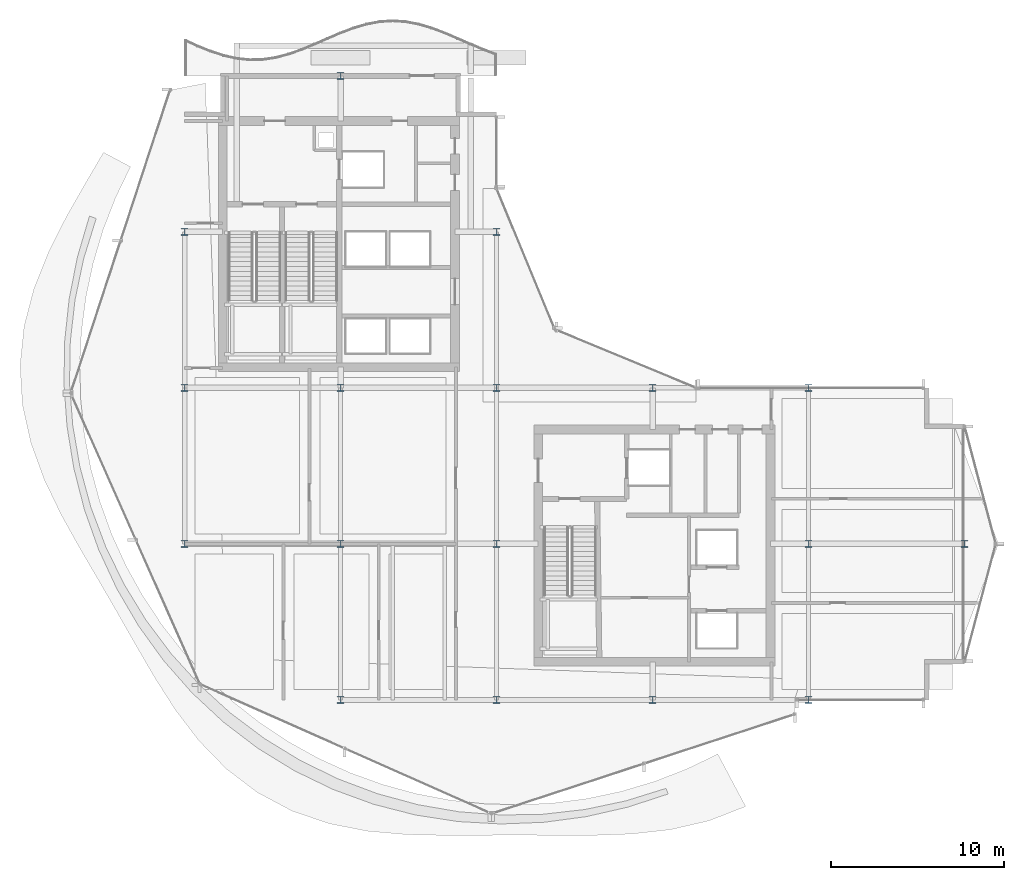
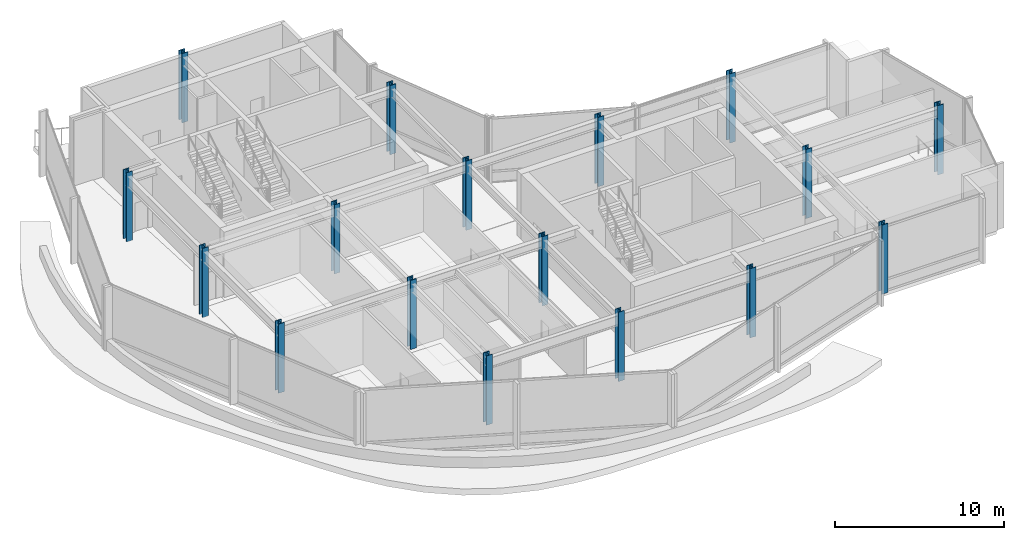
# One storey, part 1 of 29: 17 columns.
"""IFC4 building model written with IfcOpenShell, lengths in metres."""

import ifcopenshell
import ifcopenshell.guid

model = None  # the IFC model being written
_history = None  # IfcOwnerHistory: only IFC2X3 demands one
_inside = {}  # id of a spatial element -> (the spatial element, [elements in it])
_under = {}  # id of a project, library or spatial element -> (it, [spatial elements below it])
_declared = {}  # id of a project -> (the project, [libraries it declares])
_typed = {}  # id of a type object -> (the type object, [elements of that type])
_made_of = {}  # id of a material, layer set ... -> (it, [elements and type objects made of it])


def new_model(schema):
    """Start an empty IFC model of exactly this schema.

    Asked for "IFC4X3", IfcOpenShell would pick the latest addendum, in which some entities
    have other attributes; the version numbers below select the first issue.
    IFC2X3 requires an IfcOwnerHistory on every rooted entity: one is made here for all.
    """
    global model, _history
    if schema == "IFC4X3":
        model = ifcopenshell.file(schema_version=(4, 3, 0, 0))
    else:
        model = ifcopenshell.file(schema=schema)
    _inside.clear()
    _under.clear()
    _declared.clear()
    _typed.clear()
    _made_of.clear()
    _history = None
    if model.schema == "IFC2X3":
        org = make("IfcOrganization", Name="unknown")
        user = make(
            "IfcPersonAndOrganization",
            ThePerson=make("IfcPerson", FamilyName="unknown"),
            TheOrganization=org,
        )
        app = make(
            "IfcApplication",
            ApplicationDeveloper=org,
            Version="unknown",
            ApplicationFullName="unknown",
            ApplicationIdentifier="unknown",
        )
        _history = make(
            "IfcOwnerHistory",
            OwningUser=user,
            OwningApplication=app,
            ChangeAction="ADDED",
            CreationDate=0,
        )
    return model


def make(cls, **values):
    """One entity of the class cls with the attributes given. An attribute that is None is left unset."""
    return model.create_entity(
        cls, **{name: value for name, value in values.items() if value is not None}
    )


def rooted(cls, **values):
    """An entity with a GlobalId (a new one), such as an element, a storey or a relation."""
    return make(cls, GlobalId=ifcopenshell.guid.new(), OwnerHistory=_history, **values)


def si_unit(unit_type, name, prefix=None):
    """IfcSIUnit, for example si_unit("LENGTHUNIT", "METRE", prefix="MILLI")."""
    return make("IfcSIUnit", UnitType=unit_type, Prefix=prefix, Name=name)


def assignment(units):
    """IfcUnitAssignment: the units of a project."""
    return None if units is None else make("IfcUnitAssignment", Units=units)


def point(xyz):
    """IfcCartesianPoint."""
    return None if xyz is None else make("IfcCartesianPoint", Coordinates=xyz)


def direction(xyz):
    """IfcDirection."""
    return None if xyz is None else make("IfcDirection", DirectionRatios=xyz)


def frame(location, z_axis=None, x_axis=None):
    """IfcAxis2Placement3D, a coordinate frame: its origin and axes. An axis left out is left unset."""
    return make(
        "IfcAxis2Placement3D",
        Location=point(location),
        Axis=direction(z_axis),
        RefDirection=direction(x_axis),
    )


def frame_2d(location, x_axis=None):
    """IfcAxis2Placement2D, a coordinate frame in the plane: its origin and x axis."""
    return make(
        "IfcAxis2Placement2D", Location=point(location), RefDirection=direction(x_axis)
    )


def origin():
    """The frame at (0, 0, 0) with its axes left unset."""
    return frame((0.0, 0.0, 0.0))


def origin_2d():
    """The frame at (0, 0) in the plane with its x axis left unset."""
    return frame_2d((0.0, 0.0))


def place(relative_to, where):
    """IfcLocalPlacement: puts the frame where relative to a parent placement (None: the world)."""
    return make(
        "IfcLocalPlacement", PlacementRelTo=relative_to, RelativePlacement=where
    )


def context(
    kind, dimensions, precision=None, world=None, true_north=None, identifier=None
):
    """IfcGeometricRepresentationContext, for example the 3D "Model" context."""
    return make(
        "IfcGeometricRepresentationContext",
        ContextIdentifier=identifier,
        ContextType=kind,
        CoordinateSpaceDimension=dimensions,
        Precision=precision,
        WorldCoordinateSystem=world,
        TrueNorth=true_north,
    )


def subcontext(parent, identifier, kind, view, scale=None):
    """IfcGeometricRepresentationSubContext, for example "Body" below "Model"."""
    return make(
        "IfcGeometricRepresentationSubContext",
        ContextIdentifier=identifier,
        ContextType=kind,
        ParentContext=parent,
        TargetScale=scale,
        TargetView=view,
    )


def project(units=None, contexts=None):
    """IfcProject with its units and contexts."""
    return rooted(
        "IfcProject",
        Name="project",
        RepresentationContexts=contexts,
        UnitsInContext=assignment(units),
    )


def spatial(cls, under=None, at=None, **own):
    """A site, building, storey or space (cls), placed at a placement, below another one or the project."""
    s = rooted(cls, ObjectPlacement=at, **own)
    if under is not None:
        _under.setdefault(under.id(), (under, []))[1].append(s)
    return s


def profile(cls, at=None, kind="AREA", **sizes):
    """A parametric profile (cls). Its sizes go by their IFC names, for example OverallWidth=200.0."""
    return make(cls, ProfileType=kind, Position=at, **sizes)


def i_section(**sizes):
    """IfcIShapeProfileDef."""
    return profile("IfcIShapeProfileDef", **sizes)


def extrude(swept, where, along, depth):
    """IfcExtrudedAreaSolid: the profile swept, set in the frame where, extruded along a direction by depth."""
    return make(
        "IfcExtrudedAreaSolid",
        SweptArea=swept,
        Position=where,
        ExtrudedDirection=direction(along),
        Depth=depth,
    )


def shape(context_of_items, identifier, shape_type, items):
    """IfcShapeRepresentation: the items that make up one representation, for example the "Body"."""
    return make(
        "IfcShapeRepresentation",
        ContextOfItems=context_of_items,
        RepresentationIdentifier=identifier,
        RepresentationType=shape_type,
        Items=items,
    )


def material(Name=None, Category=None):
    """IfcMaterial."""
    return make("IfcMaterial", Name=Name, Category=Category)


def material_profile(
    of_material, cross_section, Name=None, Category=None, Priority=None
):
    """IfcMaterialProfile: a cross section and its material."""
    return make(
        "IfcMaterialProfile",
        Name=Name,
        Material=of_material,
        Profile=cross_section,
        Priority=Priority,
        Category=Category,
    )


def profile_set(profiles, Name=None, composite=None):
    """IfcMaterialProfileSet."""
    return make(
        "IfcMaterialProfileSet",
        Name=Name,
        MaterialProfiles=profiles,
        CompositeProfile=composite,
    )


def made_of(thing, what):
    """Note that an element or type object is made of a material, layer set ...; save() writes the relation."""
    if what is not None:
        _made_of.setdefault(what.id(), (what, []))[1].append(thing)
    return thing


def type_object(cls, material=None, **own):
    """A type object (cls), such as IfcWallType, which elements share."""
    return made_of(rooted(cls, **own), material)


def element(
    cls,
    number,
    at=None,
    inside=None,
    cuts=None,
    type_object=None,
    material=None,
    context=None,
    identifier="Body",
    shape_type=None,
    held_by="IfcProductDefinitionShape",
    body=None,
    shapes=None,
    **own,
):
    """One element of the class cls, such as IfcWall. Its Tag is "e" and its number.

    at: its placement. inside: the storey or other place that contains it. cuts: it is an
    opening in that element (IfcRelVoidsElement). A single representation is given by context,
    identifier, shape_type and body (its items); several are given by shapes. held_by: the class
    of the entity that holds the representations. save() writes the other relations.
    """
    e = rooted(cls, Tag="e%d" % number, ObjectPlacement=at, **own)
    if body is not None:
        shapes = [shape(context, identifier, shape_type, body)]
    if shapes is not None:
        e.Representation = make(held_by, Representations=shapes)
    if inside is not None:
        _inside.setdefault(inside.id(), (inside, []))[1].append(e)
    if cuts is not None:
        rooted(
            "IfcRelVoidsElement", RelatingBuildingElement=cuts, RelatedOpeningElement=e
        )
    if type_object is not None:
        _typed.setdefault(type_object.id(), (type_object, []))[1].append(e)
    return made_of(e, material)


def aggregate(whole, parts):
    """IfcRelAggregates: a whole, such as a stair, and the parts it consists of."""
    return rooted("IfcRelAggregates", RelatingObject=whole, RelatedObjects=parts)


def save(model, path):
    """Write the relations noted so far, then the file.

    IfcRelAggregates (storeys below a building ...), IfcRelContainedInSpatialStructure (elements
    in a storey), IfcRelDefinesByType, IfcRelAssociatesMaterial and IfcRelDeclares: one each for
    every whole, place, type object, material and project.
    """
    for whole, parts in _under.values():
        aggregate(whole, parts)
    for where, things in _inside.values():
        rooted(
            "IfcRelContainedInSpatialStructure",
            RelatedElements=things,
            RelatingStructure=where,
        )
    for kind, things in _typed.values():
        rooted("IfcRelDefinesByType", RelatedObjects=things, RelatingType=kind)
    for what, things in _made_of.values():
        rooted("IfcRelAssociatesMaterial", RelatedObjects=things, RelatingMaterial=what)
    for by, libraries in _declared.values():
        rooted("IfcRelDeclares", RelatingContext=by, RelatedDefinitions=libraries)
    model.write(path)


model = new_model("IFC4")

# Units and contexts
model_context = context("Model", 3, precision=1e-05, world=origin(), true_north=direction((0.0, 1.0)))
body_context = subcontext(model_context, "Body", "Model", "MODEL_VIEW")
ifc_project = project(units=[si_unit("LENGTHUNIT", "METRE"), si_unit("AREAUNIT", "SQUARE_METRE"), si_unit("VOLUMEUNIT", "CUBIC_METRE"), si_unit("PLANEANGLEUNIT", "RADIAN"), si_unit("MASSUNIT", "GRAM", prefix="KILO")], contexts=[model_context])

# Site, building, storey
site_placement = place(None, origin())
site = spatial("IfcSite", under=ifc_project, at=site_placement, CompositionType="ELEMENT")
building_placement = place(site_placement, origin())
building = spatial("IfcBuilding", under=site, at=building_placement, Name="Solvaryn Broadcast Tower", CompositionType="ELEMENT")
storey_placement = place(building_placement, frame((0.0, 0.0, 169.199951171875)))
storey = spatial("IfcBuildingStorey", under=building, at=storey_placement, Name="L42", CompositionType="ELEMENT", Elevation=169.199951171875)

# Columns
ifc_material_1 = material(Name="Steel ASTM A913 Grade 65", Category="steel")
ifc_material_profile_1 = material_profile(ifc_material_1, i_section(OverallWidth=0.406005859375, OverallDepth=0.416015625, WebThickness=0.02978515625, FlangeThickness=0.048095703125, FilletRadius=0.014892578125, at=origin_2d()))
ifc_profile_set_1 = profile_set([ifc_material_profile_1], Name="Steel ASTM A913 Grade 65")
column_type_1 = type_object("IfcColumnType", Name="COL-C07E-W14X257", PredefinedType="COLUMN", material=ifc_profile_set_1)
for number, where, z_axis, x_axis, name in (
    (1, (9.0, 18.0, 0.0), (0.0, 0.0, 1.0), (1.0, 0.0, 0.0), "L42 Column (9.0, 18.0)"),
    (2, (9.0, 27.0, 0.0), (0.0, 0.0, 1.0), (1.0, 0.0, 0.0), "L42 Column (9.0, 27.0)"),
    (3, (9.0, 36.0, 0.0), (0.0, 0.0, 1.0), (1.0, 0.0, 0.0), "L42 Column (9.0, 36.0)"),
    (4, (18.0, 9.0, 0.0), (0.0, 0.0, 1.0), (1.0, 0.0, 0.0), "L42 Column (18.0, 9.0)"),
    (5, (18.0, 45.0, 0.0), (0.0, 0.0, 1.0), (1.0, 0.0, 0.0), "L42 Column (18.0, 45.0)"),
    (6, (27.0, 9.0, 0.0), (0.0, 0.0, 1.0), (1.0, 0.0, 0.0), "L42 Column (27.0, 9.0)"),
    (7, (27.0, 36.0, 0.0), (0.0, 0.0, 1.0), (1.0, 0.0, 0.0), "L42 Column (27.0, 36.0)"),
    (8, (36.0, 9.0, 0.0), (0.0, 0.0, 1.0), (1.0, 0.0, 0.0), "L42 Column (36.0, 9.0)"),
    (9, (36.0, 27.0, 0.0), (0.0, 0.0, 1.0), (1.0, 0.0, 0.0), "L42 Column (36.0, 27.0)"),
    (10, (45.0, 9.0, 0.0), (0.0, 0.0, 1.0), (1.0, 0.0, 0.0), "L42 Column (45.0, 9.0)"),
    (11, (45.0, 27.0, 0.0), (0.0, 0.0, 1.0), (1.0, 0.0, 0.0), "L42 Column (45.0, 27.0)"),
    (12, (54.0, 18.0, 0.0), (0.0, 0.0, 1.0), (1.0, 0.0, 0.0), "L42 Column (54.0, 18.0)"),
):
    element("IfcColumn", number, at=place(storey_placement, frame(where, z_axis=z_axis, x_axis=x_axis)), inside=storey, type_object=column_type_1, Name=name, PredefinedType="COLUMN", context=body_context, shape_type="SweptSolid", body=[
        extrude(i_section(OverallWidth=0.406005859375, OverallDepth=0.416015625, WebThickness=0.02978515625, FlangeThickness=0.048095703125, FilletRadius=0.014892578125, at=origin_2d()), origin(), (0.0, 0.0, 1.0), 5.0),
    ])
ifc_material_2 = material(Name="Steel ASTM A913 Grade 65", Category="steel")
ifc_material_profile_2 = material_profile(ifc_material_2, i_section(OverallWidth=0.406005859375, OverallDepth=0.416015625, WebThickness=0.02978515625, FlangeThickness=0.048095703125, FilletRadius=0.014892578125, at=origin_2d()))
ifc_profile_set_2 = profile_set([ifc_material_profile_2], Name="Steel ASTM A913 Grade 65")
column_type_2 = type_object("IfcColumnType", Name="COL-C07I-W14X257", PredefinedType="COLUMN", material=ifc_profile_set_2)
for number, where, z_axis, x_axis, name in (
    (13, (18.0, 18.0, 0.0), (0.0, 0.0, 1.0), (1.0, 0.0, 0.0), "L42 Column (18.0, 18.0)"),
    (14, (18.0, 27.0, 0.0), (0.0, 0.0, 1.0), (1.0, 0.0, 0.0), "L42 Column (18.0, 27.0)"),
    (15, (27.0, 18.0, 0.0), (0.0, 0.0, 1.0), (1.0, 0.0, 0.0), "L42 Column (27.0, 18.0)"),
    (16, (27.0, 27.0, 0.0), (0.0, 0.0, 1.0), (1.0, 0.0, 0.0), "L42 Column (27.0, 27.0)"),
    (17, (45.0, 18.0, 0.0), (0.0, 0.0, 1.0), (1.0, 0.0, 0.0), "L42 Column (45.0, 18.0)"),
):
    element("IfcColumn", number, at=place(storey_placement, frame(where, z_axis=z_axis, x_axis=x_axis)), inside=storey, type_object=column_type_2, Name=name, PredefinedType="COLUMN", context=body_context, shape_type="SweptSolid", body=[
        extrude(i_section(OverallWidth=0.406005859375, OverallDepth=0.416015625, WebThickness=0.02978515625, FlangeThickness=0.048095703125, FilletRadius=0.014892578125, at=origin_2d()), origin(), (0.0, 0.0, 1.0), 5.0),
    ])

save(model, "model.ifc")
